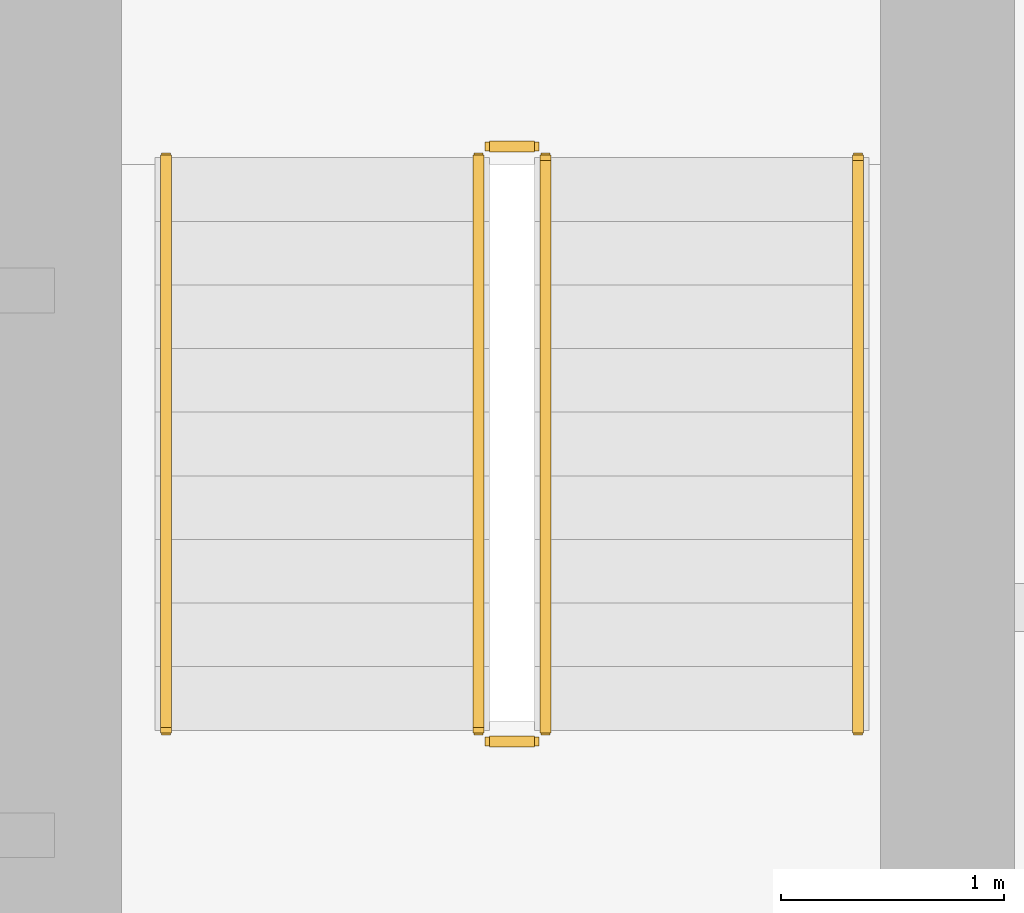
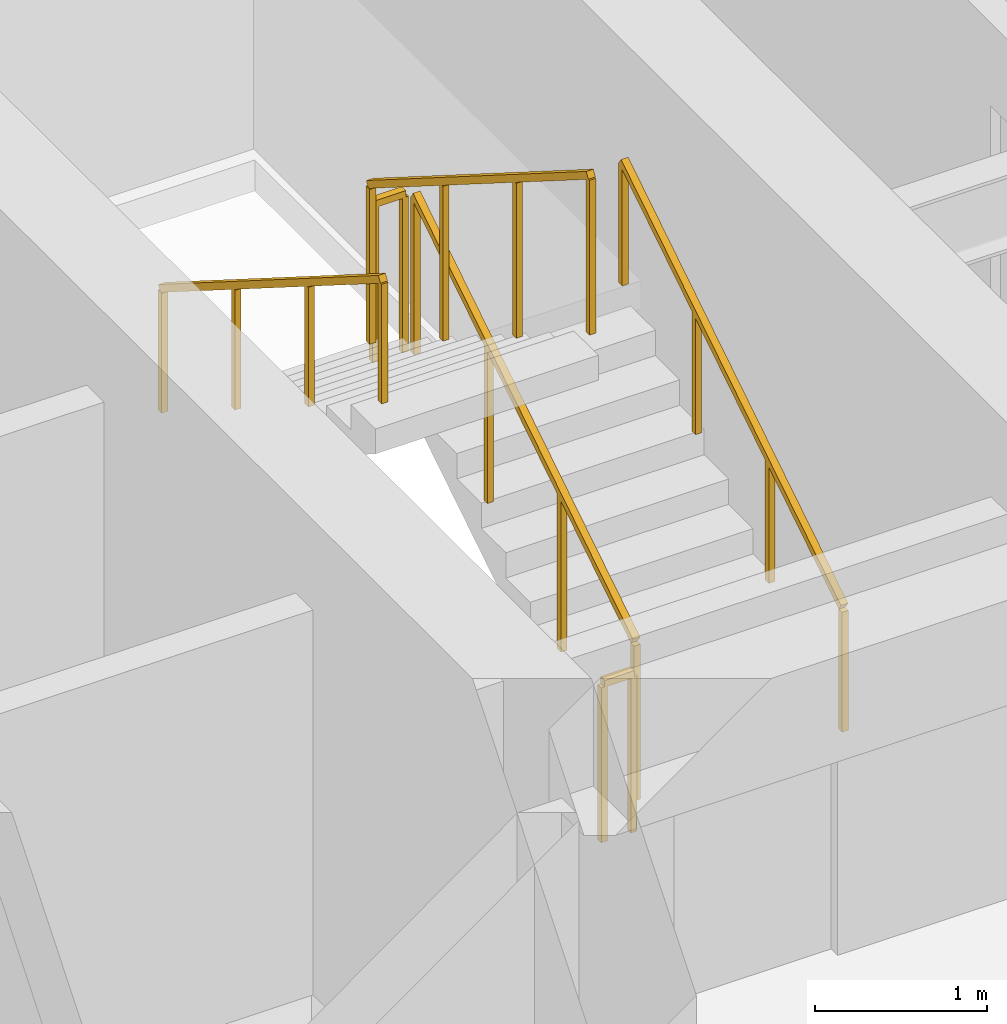
# One storey, part 26 of 26: 6 railings.
"""IFC4 building model written with IfcOpenShell, lengths in metres."""

from ifc_helpers import new_model, si_unit, direction, frame, origin, origin_2d, place, context, subcontext, project, spatial, rectangle, extrude, material, type_object, element, save


model = new_model("IFC4")

# Units and contexts
model_context = context("Model", 3, precision=1e-05, world=origin(), true_north=direction((0.0, 1.0)))
body_context = subcontext(model_context, "Body", "Model", "MODEL_VIEW")
ifc_project = project(units=[si_unit("LENGTHUNIT", "METRE"), si_unit("AREAUNIT", "SQUARE_METRE"), si_unit("VOLUMEUNIT", "CUBIC_METRE"), si_unit("PLANEANGLEUNIT", "RADIAN"), si_unit("MASSUNIT", "GRAM", prefix="KILO")], contexts=[model_context])

# Site, building, storey
site_placement = place(None, origin())
site = spatial("IfcSite", under=ifc_project, at=site_placement, CompositionType="ELEMENT")
building_placement = place(site_placement, origin())
building = spatial("IfcBuilding", under=site, at=building_placement, Name="Sarneth Arch Tower", CompositionType="ELEMENT")
storey_placement = place(building_placement, frame((0.0, 0.0, 39.0)))
storey = spatial("IfcBuildingStorey", under=building, at=storey_placement, Name="L08", CompositionType="ELEMENT", Elevation=39.0)

# Railings
ifc_material_1 = material(Name="Brushed Stainless Steel 304 tubular handrail", Category="steel")
railing_type_1 = type_object("IfcRailingType", Name="RAIL-HANDRAIL-900", PredefinedType="HANDRAIL", material=ifc_material_1)
railing_1_placement = place(storey_placement, frame((58.60009765625, 41.449951171875, 0.179931640625)))
element("IfcRailing", 1, at=railing_1_placement, inside=storey, type_object=railing_type_1, Name="L08 ST-2 stair handrail 1", PredefinedType="HANDRAIL", context=body_context, shape_type="SweptSolid", body=[
    extrude(rectangle(XDim=0.048095703125, YDim=0.048095703125, at=origin_2d()), frame((0.0, 0.0, 0.8759765625), z_axis=(0.0, 0.845465955043, 0.534029323973), x_axis=(-1.0, 0.0, 0.0)), (0.0, 0.0, 1.0), 3.03369140625),
    extrude(rectangle(XDim=0.0419921875, YDim=0.0419921875, at=origin_2d()), origin(), (0.0, 0.0, 1.0), 0.851806640625),
    extrude(rectangle(XDim=0.0419921875, YDim=0.0419921875, at=origin_2d()), frame((0.0, 0.85498046875, 0.5400390625)), (0.0, 0.0, 1.0), 0.851806640625),
    extrude(rectangle(XDim=0.0419921875, YDim=0.0419921875, at=origin_2d()), frame((0.0, 1.7099609375, 1.080078125)), (0.0, 0.0, 1.0), 0.851806640625),
    extrude(rectangle(XDim=0.0419921875, YDim=0.0419921875, at=origin_2d()), frame((0.0, 2.56494140625, 1.6201171875)), (0.0, 0.0, 1.0), 0.851806640625),
])
railing_2_placement = place(storey_placement, frame((55.5, 44.014892578125, 1.97998046875)))
element("IfcRailing", 2, at=railing_2_placement, inside=storey, type_object=railing_type_1, Name="L08 ST-2 stair handrail 2", PredefinedType="HANDRAIL", context=body_context, shape_type="SweptSolid", body=[
    extrude(rectangle(XDim=0.048095703125, YDim=0.048095703125, at=origin_2d()), frame((0.0, 0.0, 0.8759765625), z_axis=(0.0, -0.845465955043, 0.534029323973), x_axis=(1.0, 0.0, 0.0)), (0.0, 0.0, 1.0), 3.03369140625),
    extrude(rectangle(XDim=0.0419921875, YDim=0.0419921875, at=origin_2d()), origin(), (0.0, 0.0, 1.0), 0.851806640625),
    extrude(rectangle(XDim=0.0419921875, YDim=0.0419921875, at=origin_2d()), frame((0.0, -0.85498046875, 0.5400390625)), (0.0, 0.0, 1.0), 0.851806640625),
    extrude(rectangle(XDim=0.0419921875, YDim=0.0419921875, at=origin_2d()), frame((0.0, -1.7099609375, 1.080078125)), (0.0, 0.0, 1.0), 0.851806640625),
    extrude(rectangle(XDim=0.0419921875, YDim=0.0419921875, at=origin_2d()), frame((0.0, -2.56494140625, 1.6201171875)), (0.0, 0.0, 1.0), 0.851806640625),
])
ifc_material_2 = material(Name="Painted Steel S275 stair well guard", Category="steel")
railing_type_2 = type_object("IfcRailingType", Name="RAIL-STAIR-GUARD", PredefinedType="GUARDRAIL", material=ifc_material_2)
railing_3_placement = place(storey_placement, frame((57.199951171875, 41.449951171875, 0.179931640625)))
element("IfcRailing", 3, at=railing_3_placement, inside=storey, type_object=railing_type_2, Name="L08 ST-2 stair guard 1", PredefinedType="GUARDRAIL", context=body_context, shape_type="SweptSolid", body=[
    extrude(rectangle(XDim=0.048095703125, YDim=0.048095703125, at=origin_2d()), frame((0.0, 0.0, 1.1259765625), z_axis=(0.0, 0.845465955043, 0.534029323973), x_axis=(-1.0, 0.0, 0.0)), (0.0, 0.0, 1.0), 3.03369140625),
    extrude(rectangle(XDim=0.0419921875, YDim=0.0419921875, at=origin_2d()), origin(), (0.0, 0.0, 1.0), 1.101806640625),
    extrude(rectangle(XDim=0.0419921875, YDim=0.0419921875, at=origin_2d()), frame((0.0, 0.85498046875, 0.5400390625)), (0.0, 0.0, 1.0), 1.101806640625),
    extrude(rectangle(XDim=0.0419921875, YDim=0.0419921875, at=origin_2d()), frame((0.0, 1.7099609375, 1.080078125)), (0.0, 0.0, 1.0), 1.101806640625),
    extrude(rectangle(XDim=0.0419921875, YDim=0.0419921875, at=origin_2d()), frame((0.0, 2.56494140625, 1.6201171875)), (0.0, 0.0, 1.0), 1.101806640625),
])
railing_4_placement = place(storey_placement, frame((57.14990234375, 44.06494140625, 1.800048828125)))
element("IfcRailing", 4, at=railing_4_placement, inside=storey, type_object=railing_type_2, Name="L08 ST-2 stair guard 2", PredefinedType="GUARDRAIL", context=body_context, shape_type="SweptSolid", body=[
    extrude(rectangle(XDim=0.048095703125, YDim=0.048095703125, at=origin_2d()), frame((0.0, 0.0, 1.1259765625), z_axis=(-1.0, 0.0, 0.0), x_axis=(0.0, -1.0, 0.0)), (0.0, 0.0, 1.0), 0.199951171875),
    extrude(rectangle(XDim=0.0419921875, YDim=0.0419921875, at=origin_2d()), origin(), (0.0, 0.0, 1.0), 1.101806640625),
    extrude(rectangle(XDim=0.0419921875, YDim=0.0419921875, at=origin_2d()), frame((-0.199951171875, 0.0, 0.0)), (0.0, 0.0, 1.0), 1.101806640625),
])
railing_5_placement = place(storey_placement, frame((56.89990234375, 44.014892578125, 1.97998046875)))
element("IfcRailing", 5, at=railing_5_placement, inside=storey, type_object=railing_type_2, Name="L08 ST-2 stair guard 3", PredefinedType="GUARDRAIL", context=body_context, shape_type="SweptSolid", body=[
    extrude(rectangle(XDim=0.048095703125, YDim=0.048095703125, at=origin_2d()), frame((0.0, 0.0, 1.1259765625), z_axis=(0.0, -0.845465955043, 0.534029323973), x_axis=(1.0, 0.0, 0.0)), (0.0, 0.0, 1.0), 3.03369140625),
    extrude(rectangle(XDim=0.0419921875, YDim=0.0419921875, at=origin_2d()), origin(), (0.0, 0.0, 1.0), 1.101806640625),
    extrude(rectangle(XDim=0.0419921875, YDim=0.0419921875, at=origin_2d()), frame((0.0, -0.85498046875, 0.5400390625)), (0.0, 0.0, 1.0), 1.101806640625),
    extrude(rectangle(XDim=0.0419921875, YDim=0.0419921875, at=origin_2d()), frame((0.0, -1.7099609375, 1.080078125)), (0.0, 0.0, 1.0), 1.101806640625),
    extrude(rectangle(XDim=0.0419921875, YDim=0.0419921875, at=origin_2d()), frame((0.0, -2.56494140625, 1.6201171875)), (0.0, 0.0, 1.0), 1.101806640625),
])
railing_6_placement = place(storey_placement, frame((57.14990234375, 41.39990234375, 0.0)))
element("IfcRailing", 6, at=railing_6_placement, inside=storey, type_object=railing_type_2, Name="L08 ST-2 stair guard 4", PredefinedType="GUARDRAIL", context=body_context, shape_type="SweptSolid", body=[
    extrude(rectangle(XDim=0.048095703125, YDim=0.048095703125, at=origin_2d()), frame((0.0, 0.0, 1.1259765625), z_axis=(-1.0, 0.0, 0.0), x_axis=(0.0, -1.0, 0.0)), (0.0, 0.0, 1.0), 0.199951171875),
    extrude(rectangle(XDim=0.0419921875, YDim=0.0419921875, at=origin_2d()), origin(), (0.0, 0.0, 1.0), 1.101806640625),
    extrude(rectangle(XDim=0.0419921875, YDim=0.0419921875, at=origin_2d()), frame((-0.199951171875, 0.0, 0.0)), (0.0, 0.0, 1.0), 1.101806640625),
])

save(model, "model.ifc")
